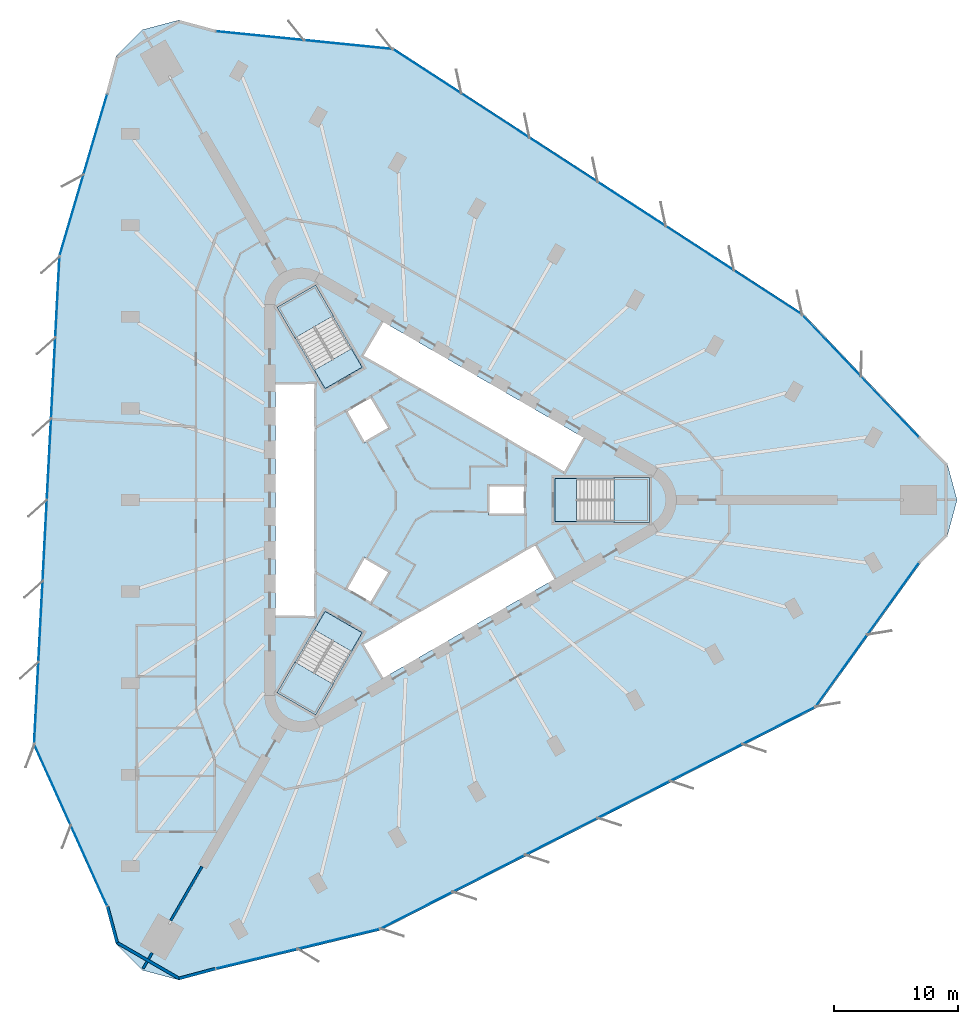
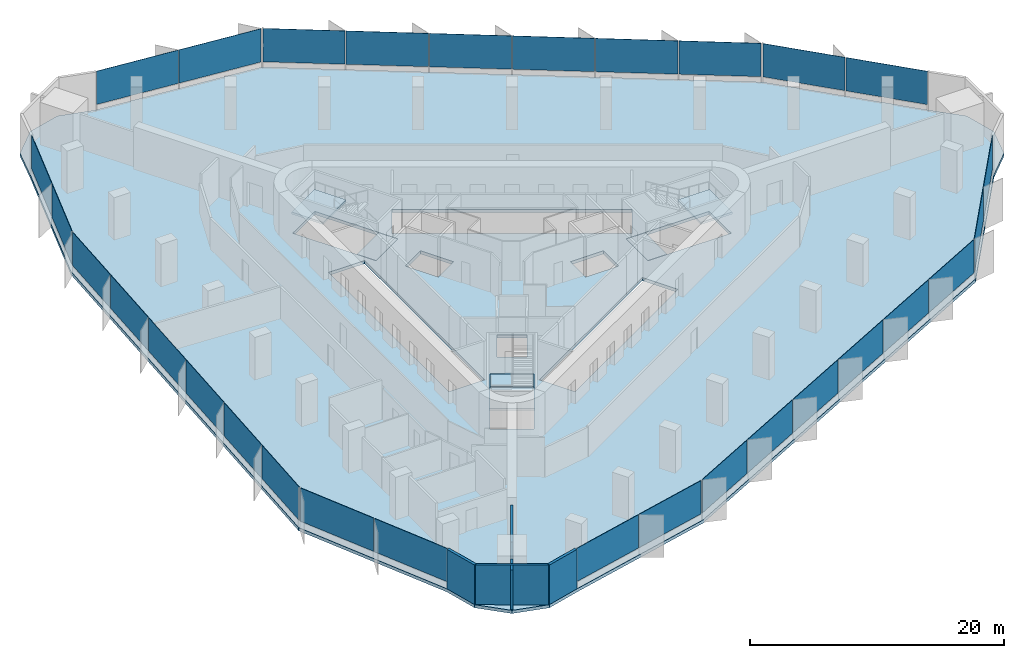
# One storey, part 8 of 14: 30 plates, 7 slabs, 6 walls, 12 elements without a shape of their own.
"""IFC4 building model written with IfcOpenShell, lengths in metres."""

import ifcopenshell
import ifcopenshell.guid

model = None  # the IFC model being written
_history = None  # IfcOwnerHistory: only IFC2X3 demands one
_inside = {}  # id of a spatial element -> (the spatial element, [elements in it])
_under = {}  # id of a project, library or spatial element -> (it, [spatial elements below it])
_declared = {}  # id of a project -> (the project, [libraries it declares])
_typed = {}  # id of a type object -> (the type object, [elements of that type])
_made_of = {}  # id of a material, layer set ... -> (it, [elements and type objects made of it])


def new_model(schema):
    """Start an empty IFC model of exactly this schema.

    Asked for "IFC4X3", IfcOpenShell would pick the latest addendum, in which some entities
    have other attributes; the version numbers below select the first issue.
    IFC2X3 requires an IfcOwnerHistory on every rooted entity: one is made here for all.
    """
    global model, _history
    if schema == "IFC4X3":
        model = ifcopenshell.file(schema_version=(4, 3, 0, 0))
    else:
        model = ifcopenshell.file(schema=schema)
    _inside.clear()
    _under.clear()
    _declared.clear()
    _typed.clear()
    _made_of.clear()
    _history = None
    if model.schema == "IFC2X3":
        org = make("IfcOrganization", Name="unknown")
        user = make(
            "IfcPersonAndOrganization",
            ThePerson=make("IfcPerson", FamilyName="unknown"),
            TheOrganization=org,
        )
        app = make(
            "IfcApplication",
            ApplicationDeveloper=org,
            Version="unknown",
            ApplicationFullName="unknown",
            ApplicationIdentifier="unknown",
        )
        _history = make(
            "IfcOwnerHistory",
            OwningUser=user,
            OwningApplication=app,
            ChangeAction="ADDED",
            CreationDate=0,
        )
    return model


def make(cls, **values):
    """One entity of the class cls with the attributes given. An attribute that is None is left unset."""
    return model.create_entity(
        cls, **{name: value for name, value in values.items() if value is not None}
    )


def rooted(cls, **values):
    """An entity with a GlobalId (a new one), such as an element, a storey or a relation."""
    return make(cls, GlobalId=ifcopenshell.guid.new(), OwnerHistory=_history, **values)


def si_unit(unit_type, name, prefix=None):
    """IfcSIUnit, for example si_unit("LENGTHUNIT", "METRE", prefix="MILLI")."""
    return make("IfcSIUnit", UnitType=unit_type, Prefix=prefix, Name=name)


def assignment(units):
    """IfcUnitAssignment: the units of a project."""
    return None if units is None else make("IfcUnitAssignment", Units=units)


def point(xyz):
    """IfcCartesianPoint."""
    return None if xyz is None else make("IfcCartesianPoint", Coordinates=xyz)


def direction(xyz):
    """IfcDirection."""
    return None if xyz is None else make("IfcDirection", DirectionRatios=xyz)


def frame(location, z_axis=None, x_axis=None):
    """IfcAxis2Placement3D, a coordinate frame: its origin and axes. An axis left out is left unset."""
    return make(
        "IfcAxis2Placement3D",
        Location=point(location),
        Axis=direction(z_axis),
        RefDirection=direction(x_axis),
    )


def frame_2d(location, x_axis=None):
    """IfcAxis2Placement2D, a coordinate frame in the plane: its origin and x axis."""
    return make(
        "IfcAxis2Placement2D", Location=point(location), RefDirection=direction(x_axis)
    )


def origin():
    """The frame at (0, 0, 0) with its axes left unset."""
    return frame((0.0, 0.0, 0.0))


def origin_2d():
    """The frame at (0, 0) in the plane with its x axis left unset."""
    return frame_2d((0.0, 0.0))


def place(relative_to, where):
    """IfcLocalPlacement: puts the frame where relative to a parent placement (None: the world)."""
    return make(
        "IfcLocalPlacement", PlacementRelTo=relative_to, RelativePlacement=where
    )


def context(
    kind, dimensions, precision=None, world=None, true_north=None, identifier=None
):
    """IfcGeometricRepresentationContext, for example the 3D "Model" context."""
    return make(
        "IfcGeometricRepresentationContext",
        ContextIdentifier=identifier,
        ContextType=kind,
        CoordinateSpaceDimension=dimensions,
        Precision=precision,
        WorldCoordinateSystem=world,
        TrueNorth=true_north,
    )


def subcontext(parent, identifier, kind, view, scale=None):
    """IfcGeometricRepresentationSubContext, for example "Body" below "Model"."""
    return make(
        "IfcGeometricRepresentationSubContext",
        ContextIdentifier=identifier,
        ContextType=kind,
        ParentContext=parent,
        TargetScale=scale,
        TargetView=view,
    )


def project(units=None, contexts=None):
    """IfcProject with its units and contexts."""
    return rooted(
        "IfcProject",
        Name="project",
        RepresentationContexts=contexts,
        UnitsInContext=assignment(units),
    )


def spatial(cls, under=None, at=None, **own):
    """A site, building, storey or space (cls), placed at a placement, below another one or the project."""
    s = rooted(cls, ObjectPlacement=at, **own)
    if under is not None:
        _under.setdefault(under.id(), (under, []))[1].append(s)
    return s


def polyline(points):
    """IfcPolyline through the points."""
    return make("IfcPolyline", Points=[point(p) for p in points])


def profile(cls, at=None, kind="AREA", **sizes):
    """A parametric profile (cls). Its sizes go by their IFC names, for example OverallWidth=200.0."""
    return make(cls, ProfileType=kind, Position=at, **sizes)


def rectangle(**sizes):
    """IfcRectangleProfileDef."""
    return profile("IfcRectangleProfileDef", **sizes)


def outline(outer, holes=None, kind="AREA"):
    """IfcArbitraryClosedProfileDef: a profile drawn as a closed curve; with holes, ...WithVoids."""
    if holes is None:
        return make("IfcArbitraryClosedProfileDef", ProfileType=kind, OuterCurve=outer)
    return make(
        "IfcArbitraryProfileDefWithVoids",
        ProfileType=kind,
        OuterCurve=outer,
        InnerCurves=holes,
    )


def extrude(swept, where, along, depth):
    """IfcExtrudedAreaSolid: the profile swept, set in the frame where, extruded along a direction by depth."""
    return make(
        "IfcExtrudedAreaSolid",
        SweptArea=swept,
        Position=where,
        ExtrudedDirection=direction(along),
        Depth=depth,
    )


def shape(context_of_items, identifier, shape_type, items):
    """IfcShapeRepresentation: the items that make up one representation, for example the "Body"."""
    return make(
        "IfcShapeRepresentation",
        ContextOfItems=context_of_items,
        RepresentationIdentifier=identifier,
        RepresentationType=shape_type,
        Items=items,
    )


def material(Name=None, Category=None):
    """IfcMaterial."""
    return make("IfcMaterial", Name=Name, Category=Category)


def layer(
    of_material, thickness, ventilated=None, Name=None, Category=None, Priority=None
):
    """IfcMaterialLayer: one layer of a wall or slab, of a material (None: an air gap)."""
    return make(
        "IfcMaterialLayer",
        Material=of_material,
        LayerThickness=thickness,
        IsVentilated=ventilated,
        Name=Name,
        Category=Category,
        Priority=Priority,
    )


def layer_set(layers, Name=None):
    """IfcMaterialLayerSet."""
    return make("IfcMaterialLayerSet", MaterialLayers=layers, LayerSetName=Name)


def made_of(thing, what):
    """Note that an element or type object is made of a material, layer set ...; save() writes the relation."""
    if what is not None:
        _made_of.setdefault(what.id(), (what, []))[1].append(thing)
    return thing


def type_object(cls, material=None, **own):
    """A type object (cls), such as IfcWallType, which elements share."""
    return made_of(rooted(cls, **own), material)


def element(
    cls,
    number,
    at=None,
    inside=None,
    cuts=None,
    type_object=None,
    material=None,
    context=None,
    identifier="Body",
    shape_type=None,
    held_by="IfcProductDefinitionShape",
    body=None,
    shapes=None,
    **own,
):
    """One element of the class cls, such as IfcWall. Its Tag is "e" and its number.

    at: its placement. inside: the storey or other place that contains it. cuts: it is an
    opening in that element (IfcRelVoidsElement). A single representation is given by context,
    identifier, shape_type and body (its items); several are given by shapes. held_by: the class
    of the entity that holds the representations. save() writes the other relations.
    """
    e = rooted(cls, Tag="e%d" % number, ObjectPlacement=at, **own)
    if body is not None:
        shapes = [shape(context, identifier, shape_type, body)]
    if shapes is not None:
        e.Representation = make(held_by, Representations=shapes)
    if inside is not None:
        _inside.setdefault(inside.id(), (inside, []))[1].append(e)
    if cuts is not None:
        rooted(
            "IfcRelVoidsElement", RelatingBuildingElement=cuts, RelatedOpeningElement=e
        )
    if type_object is not None:
        _typed.setdefault(type_object.id(), (type_object, []))[1].append(e)
    return made_of(e, material)


def aggregate(whole, parts):
    """IfcRelAggregates: a whole, such as a stair, and the parts it consists of."""
    return rooted("IfcRelAggregates", RelatingObject=whole, RelatedObjects=parts)


def save(model, path):
    """Write the relations noted so far, then the file.

    IfcRelAggregates (storeys below a building ...), IfcRelContainedInSpatialStructure (elements
    in a storey), IfcRelDefinesByType, IfcRelAssociatesMaterial and IfcRelDeclares: one each for
    every whole, place, type object, material and project.
    """
    for whole, parts in _under.values():
        aggregate(whole, parts)
    for where, things in _inside.values():
        rooted(
            "IfcRelContainedInSpatialStructure",
            RelatedElements=things,
            RelatingStructure=where,
        )
    for kind, things in _typed.values():
        rooted("IfcRelDefinesByType", RelatedObjects=things, RelatingType=kind)
    for what, things in _made_of.values():
        rooted("IfcRelAssociatesMaterial", RelatedObjects=things, RelatingMaterial=what)
    for by, libraries in _declared.values():
        rooted("IfcRelDeclares", RelatingContext=by, RelatedDefinitions=libraries)
    model.write(path)


model = new_model("IFC4")

# Units and contexts
model_context = context("Model", 3, precision=1e-05, world=origin(), true_north=direction((0.0, 1.0)))
body_context = subcontext(model_context, "Body", "Model", "MODEL_VIEW")
ifc_project = project(units=[si_unit("LENGTHUNIT", "METRE"), si_unit("AREAUNIT", "SQUARE_METRE"), si_unit("VOLUMEUNIT", "CUBIC_METRE"), si_unit("PLANEANGLEUNIT", "RADIAN"), si_unit("MASSUNIT", "GRAM", prefix="KILO")], contexts=[model_context])

# Site, building, storey
site_placement = place(None, origin())
site = spatial("IfcSite", under=ifc_project, at=site_placement, CompositionType="ELEMENT")
building_placement = place(site_placement, origin())
building = spatial("IfcBuilding", under=site, at=building_placement, Name="Tanit Gate Tower", CompositionType="ELEMENT")
storey_placement = place(building_placement, frame((0.0, 0.0, 107.0)))
storey = spatial("IfcBuildingStorey", under=building, at=storey_placement, Name="L22", CompositionType="ELEMENT", Elevation=107.0)

# Slab
ifc_material_1 = material(Name="Concrete C35/45", Category="concrete")
ifc_layer_1 = layer(ifc_material_1, 0.300048828125)
ifc_layer_set_1 = layer_set([ifc_layer_1], Name="FLOOR SLAB 300 C35/45")
slab_type_1 = type_object("IfcSlabType", Name="FLOOR SLAB 300 C35/45", PredefinedType="FLOOR", material=ifc_layer_set_1)
slab_1_placement = place(storey_placement, frame((0.0, 0.0, -0.300048828125)))
element("IfcSlab", 1, at=slab_1_placement, inside=storey, type_object=slab_type_1, Name="FLOOR SLAB L22", PredefinedType="FLOOR", context=body_context, shape_type="SweptSolid", body=[
    extrude(outline(polyline([(40.87548828125, 5.105224609375), (43.033203125, 2.947509765625), (43.822998046875, 0.0), (43.033203125, -2.947509765625), (40.87548828125, -5.105224609375), (32.458251953125, -16.80322265625), (-2.703369140625, -34.73388671875), (-16.0166015625, -37.951904296875), (-18.964111328125, -38.74169921875), (-21.91162109375, -37.951904296875), (-24.0693359375, -35.794189453125), (-24.859130859375, -32.8466796875), (-30.78125, -19.7080078125), (-28.728759765625, 19.7080078125), (-24.859130859375, 32.8466796875), (-24.0693359375, 35.794189453125), (-21.91162109375, 37.951904296875), (-18.964111328125, 38.74169921875), (-16.0166015625, 37.951904296875), (-1.677001953125, 36.51123046875), (31.431884765625, 15.02587890625), (40.87548828125, 5.105224609375)]), holes=[polyline([(11.3701171875, 1.72998046875), (18.929931640625, 1.72998046875), (18.929931640625, -1.72998046875), (11.3701171875, -1.72998046875), (11.3701171875, 1.72998046875)]), polyline([(-4.208984375, 11.60986328125), (-2.583984375, 14.424560546875), (13.783935546875, 4.974609375), (12.158935546875, 2.159912109375), (-4.208984375, 11.60986328125)]), polyline([(-4.208984375, -11.60986328125), (9.82080078125, -3.510009765625), (11.44580078125, -6.324462890625), (-2.583984375, -14.424560546875), (-4.208984375, -11.60986328125)]), polyline([(9.0, 1.199951171875), (9.0, -1.199951171875), (6.0, -1.199951171875), (6.0, 1.199951171875), (9.0, 1.199951171875)]), polyline([(-5.539306640625, 7.194091796875), (-3.460693359375, 8.394287109375), (-1.960693359375, 5.796142578125), (-4.039306640625, 4.59619140625), (-5.539306640625, 7.194091796875)]), polyline([(-1.960693359375, -5.796142578125), (-3.460693359375, -8.394287109375), (-5.539306640625, -7.194091796875), (-4.039306640625, -4.59619140625), (-1.960693359375, -5.796142578125)]), polyline([(-10.963134765625, 15.52880859375), (-7.966796875, 17.2587890625), (-4.186767578125, 10.711669921875), (-7.18310546875, 8.981689453125), (-10.963134765625, 15.52880859375)]), polyline([(-4.186767578125, -10.711669921875), (-7.966796875, -17.2587890625), (-10.963134765625, -15.52880859375), (-7.18310546875, -8.981689453125), (-4.186767578125, -10.711669921875)]), polyline([(-11.199951171875, -9.449951171875), (-11.199951171875, 9.449951171875), (-7.949951171875, 9.449951171875), (-7.949951171875, -9.449951171875), (-11.199951171875, -9.449951171875)])]), origin(), (0.0, 0.0, 1.0), 0.300048828125),
])

# Curtain wall, plates
ifc_material_2 = material(Name="Aluminium bronze anodised and glass", Category="aluminium")
curtain_wall_type = type_object("IfcCurtainWallType", Name="Curtain wall typical low", PredefinedType="NOTDEFINED", material=ifc_material_2)
curtain_wall_1_placement = place(storey_placement, origin())
curtain_wall_1 = element("IfcCurtainWall", 2, at=curtain_wall_1_placement, inside=storey, type_object=curtain_wall_type, Name="Curtain wall L22 NE1", PredefinedType="NOTDEFINED")
ifc_material_3 = material(Name="Glass tinted", Category="glass")
ifc_layer_2 = layer(ifc_material_3, 0.031982421875)
ifc_layer_set_2 = layer_set([ifc_layer_2], Name="Glass panel 32 typical low")
plate_type = type_object("IfcPlateType", Name="Glass panel 32 typical low", PredefinedType="CURTAIN_PANEL", material=ifc_layer_set_2)
plate_1_placement = place(storey_placement, frame((38.417236328125, 7.513671875, 0.60009765625), z_axis=(0.0, 0.0, 1.0), x_axis=(-0.689481250245, 0.724303531374, 0.0)))
plate_1 = element("IfcPlate", 3, at=plate_1_placement, type_object=plate_type, Name="Glass panel L22 NE1.1", PredefinedType="CURTAIN_PANEL", context=body_context, shape_type="SweptSolid", body=[
    extrude(rectangle(XDim=6.721923828125, YDim=0.031982421875, at=origin_2d()), origin(), (0.0, 0.0, 1.0), 3.199951171875),
])
plate_2_placement = place(storey_placement, frame((33.727294921875, 12.4404296875, 0.60009765625), z_axis=(0.0, 0.0, 1.0), x_axis=(-0.689481250245, 0.724303531374, 0.0)))
plate_2 = element("IfcPlate", 4, at=plate_2_placement, type_object=plate_type, Name="Glass panel L22 NE1.2", PredefinedType="CURTAIN_PANEL", context=body_context, shape_type="SweptSolid", body=[
    extrude(rectangle(XDim=6.721923828125, YDim=0.031982421875, at=origin_2d()), origin(), (0.0, 0.0, 1.0), 3.199951171875),
])
aggregate(curtain_wall_1, [plate_1, plate_2])

curtain_wall_2_placement = place(storey_placement, origin())
curtain_wall_2 = element("IfcCurtainWall", 5, at=curtain_wall_2_placement, inside=storey, type_object=curtain_wall_type, Name="Curtain wall L22 NE2", PredefinedType="NOTDEFINED")
plate_3_placement = place(storey_placement, frame((28.57080078125, 16.739501953125, 0.60009765625), z_axis=(0.0, 0.0, 1.0), x_axis=(-0.838852134807, 0.544359344487, 0.0)))
plate_3 = element("IfcPlate", 6, at=plate_3_placement, type_object=plate_type, Name="Glass panel L22 NE2.1", PredefinedType="CURTAIN_PANEL", context=body_context, shape_type="SweptSolid", body=[
    extrude(rectangle(XDim=6.477783203125, YDim=0.031982421875, at=origin_2d()), origin(), (0.0, 0.0, 1.0), 3.199951171875),
])
plate_4_placement = place(storey_placement, frame((23.06982421875, 20.309326171875, 0.60009765625), z_axis=(0.0, 0.0, 1.0), x_axis=(-0.838852134807, 0.544359344487, 0.0)))
plate_4 = element("IfcPlate", 7, at=plate_4_placement, type_object=plate_type, Name="Glass panel L22 NE2.2", PredefinedType="CURTAIN_PANEL", context=body_context, shape_type="SweptSolid", body=[
    extrude(rectangle(XDim=6.477783203125, YDim=0.031982421875, at=origin_2d()), origin(), (0.0, 0.0, 1.0), 3.199951171875),
])
plate_5_placement = place(storey_placement, frame((17.56884765625, 23.87890625, 0.60009765625), z_axis=(0.0, 0.0, 1.0), x_axis=(-0.838852134807, 0.544359344487, 0.0)))
plate_5 = element("IfcPlate", 8, at=plate_5_placement, type_object=plate_type, Name="Glass panel L22 NE2.3", PredefinedType="CURTAIN_PANEL", context=body_context, shape_type="SweptSolid", body=[
    extrude(rectangle(XDim=6.477783203125, YDim=0.031982421875, at=origin_2d()), origin(), (0.0, 0.0, 1.0), 3.199951171875),
])
plate_6_placement = place(storey_placement, frame((12.06787109375, 27.44873046875, 0.60009765625), z_axis=(0.0, 0.0, 1.0), x_axis=(-0.838852134807, 0.544359344487, 0.0)))
plate_6 = element("IfcPlate", 9, at=plate_6_placement, type_object=plate_type, Name="Glass panel L22 NE2.4", PredefinedType="CURTAIN_PANEL", context=body_context, shape_type="SweptSolid", body=[
    extrude(rectangle(XDim=6.477783203125, YDim=0.031982421875, at=origin_2d()), origin(), (0.0, 0.0, 1.0), 3.199951171875),
])
plate_7_placement = place(storey_placement, frame((6.56689453125, 31.0185546875, 0.60009765625), z_axis=(0.0, 0.0, 1.0), x_axis=(-0.838852134807, 0.544359344487, 0.0)))
plate_7 = element("IfcPlate", 10, at=plate_7_placement, type_object=plate_type, Name="Glass panel L22 NE2.5", PredefinedType="CURTAIN_PANEL", context=body_context, shape_type="SweptSolid", body=[
    extrude(rectangle(XDim=6.477783203125, YDim=0.031982421875, at=origin_2d()), origin(), (0.0, 0.0, 1.0), 3.199951171875),
])
plate_8_placement = place(storey_placement, frame((1.066162109375, 34.588134765625, 0.60009765625), z_axis=(0.0, 0.0, 1.0), x_axis=(-0.838852134807, 0.544359344487, 0.0)))
plate_8 = element("IfcPlate", 11, at=plate_8_placement, type_object=plate_type, Name="Glass panel L22 NE2.6", PredefinedType="CURTAIN_PANEL", context=body_context, shape_type="SweptSolid", body=[
    extrude(rectangle(XDim=6.477783203125, YDim=0.031982421875, at=origin_2d()), origin(), (0.0, 0.0, 1.0), 3.199951171875),
])
aggregate(curtain_wall_2, [plate_3, plate_4, plate_5, plate_6, plate_7, plate_8])

curtain_wall_3_placement = place(storey_placement, origin())
curtain_wall_3 = element("IfcCurtainWall", 12, at=curtain_wall_3_placement, inside=storey, type_object=curtain_wall_type, Name="Curtain wall L22 NE3", PredefinedType="NOTDEFINED")
plate_9_placement = place(storey_placement, frame((-5.31787109375, 36.756591796875, 0.60009765625), z_axis=(0.0, 0.0, 1.0), x_axis=(-0.994991526189, 0.099959305783, 0.0)))
plate_9 = element("IfcPlate", 13, at=plate_9_placement, type_object=plate_type, Name="Glass panel L22 NE3.1", PredefinedType="CURTAIN_PANEL", context=body_context, shape_type="SweptSolid", body=[
    extrude(rectangle(XDim=7.076171875, YDim=0.031982421875, at=origin_2d()), origin(), (0.0, 0.0, 1.0), 3.199951171875),
])
plate_10_placement = place(storey_placement, frame((-12.438232421875, 37.471923828125, 0.60009765625), z_axis=(0.0, 0.0, 1.0), x_axis=(-0.994991526189, 0.099959305783, 0.0)))
plate_10 = element("IfcPlate", 14, at=plate_10_placement, type_object=plate_type, Name="Glass panel L22 NE3.2", PredefinedType="CURTAIN_PANEL", context=body_context, shape_type="SweptSolid", body=[
    extrude(rectangle(XDim=7.076171875, YDim=0.031982421875, at=origin_2d()), origin(), (0.0, 0.0, 1.0), 3.199951171875),
])
aggregate(curtain_wall_3, [plate_9, plate_10])

curtain_wall_4_placement = place(storey_placement, origin())
curtain_wall_4 = element("IfcCurtainWall", 15, at=curtain_wall_4_placement, inside=storey, type_object=curtain_wall_type, Name="Curtain wall L22 W1", PredefinedType="NOTDEFINED")
plate_11_placement = place(storey_placement, frame((-25.715576171875, 29.513427734375, 0.60009765625), z_axis=(0.0, 0.0, 1.0), x_axis=(-0.282524633098, -0.959260043832, 0.0)))
plate_11 = element("IfcPlate", 16, at=plate_11_placement, type_object=plate_type, Name="Glass panel L22 W1.1", PredefinedType="CURTAIN_PANEL", context=body_context, shape_type="SweptSolid", body=[
    extrude(rectangle(XDim=6.721923828125, YDim=0.031982421875, at=origin_2d()), origin(), (0.0, 0.0, 1.0), 3.199951171875),
])
plate_12_placement = place(storey_placement, frame((-27.637451171875, 22.988525390625, 0.60009765625), z_axis=(0.0, 0.0, 1.0), x_axis=(-0.282524633098, -0.959260043832, 0.0)))
plate_12 = element("IfcPlate", 17, at=plate_12_placement, type_object=plate_type, Name="Glass panel L22 W1.2", PredefinedType="CURTAIN_PANEL", context=body_context, shape_type="SweptSolid", body=[
    extrude(rectangle(XDim=6.721923828125, YDim=0.031982421875, at=origin_2d()), origin(), (0.0, 0.0, 1.0), 3.199951171875),
])
aggregate(curtain_wall_4, [plate_11, plate_12])

curtain_wall_5_placement = place(storey_placement, origin())
curtain_wall_5 = element("IfcCurtainWall", 18, at=curtain_wall_5_placement, inside=storey, type_object=curtain_wall_type, Name="Curtain wall L22 W2", PredefinedType="NOTDEFINED")
plate_13_placement = place(storey_placement, frame((-28.7822265625, 16.373291015625, 0.60009765625), z_axis=(0.0, 0.0, 1.0), x_axis=(-0.05200295371, -0.998646931005, 0.0)))
plate_13 = element("IfcPlate", 19, at=plate_13_placement, type_object=plate_type, Name="Glass panel L22 W2.1", PredefinedType="CURTAIN_PANEL", context=body_context, shape_type="SweptSolid", body=[
    extrude(rectangle(XDim=6.477783203125, YDim=0.031982421875, at=origin_2d()), origin(), (0.0, 0.0, 1.0), 3.199951171875),
])
plate_14_placement = place(storey_placement, frame((-29.123291015625, 9.824462890625, 0.60009765625), z_axis=(0.0, 0.0, 1.0), x_axis=(-0.05200295371, -0.998646931005, 0.0)))
plate_14 = element("IfcPlate", 20, at=plate_14_placement, type_object=plate_type, Name="Glass panel L22 W2.2", PredefinedType="CURTAIN_PANEL", context=body_context, shape_type="SweptSolid", body=[
    extrude(rectangle(XDim=6.477783203125, YDim=0.031982421875, at=origin_2d()), origin(), (0.0, 0.0, 1.0), 3.199951171875),
])
plate_15_placement = place(storey_placement, frame((-29.464111328125, 3.275634765625, 0.60009765625), z_axis=(0.0, 0.0, 1.0), x_axis=(-0.05200295371, -0.998646931005, 0.0)))
plate_15 = element("IfcPlate", 21, at=plate_15_placement, type_object=plate_type, Name="Glass panel L22 W2.3", PredefinedType="CURTAIN_PANEL", context=body_context, shape_type="SweptSolid", body=[
    extrude(rectangle(XDim=6.477783203125, YDim=0.031982421875, at=origin_2d()), origin(), (0.0, 0.0, 1.0), 3.199951171875),
])
plate_16_placement = place(storey_placement, frame((-29.80517578125, -3.273193359375, 0.60009765625), z_axis=(0.0, 0.0, 1.0), x_axis=(-0.05200295371, -0.998646931005, 0.0)))
plate_16 = element("IfcPlate", 22, at=plate_16_placement, type_object=plate_type, Name="Glass panel L22 W2.4", PredefinedType="CURTAIN_PANEL", context=body_context, shape_type="SweptSolid", body=[
    extrude(rectangle(XDim=6.477783203125, YDim=0.031982421875, at=origin_2d()), origin(), (0.0, 0.0, 1.0), 3.199951171875),
])
plate_17_placement = place(storey_placement, frame((-30.146240234375, -9.822021484375, 0.60009765625), z_axis=(0.0, 0.0, 1.0), x_axis=(-0.05200295371, -0.998646931005, 0.0)))
plate_17 = element("IfcPlate", 23, at=plate_17_placement, type_object=plate_type, Name="Glass panel L22 W2.5", PredefinedType="CURTAIN_PANEL", context=body_context, shape_type="SweptSolid", body=[
    extrude(rectangle(XDim=6.477783203125, YDim=0.031982421875, at=origin_2d()), origin(), (0.0, 0.0, 1.0), 3.199951171875),
])
plate_18_placement = place(storey_placement, frame((-30.4873046875, -16.370849609375, 0.60009765625), z_axis=(0.0, 0.0, 1.0), x_axis=(-0.05200295371, -0.998646931005, 0.0)))
plate_18 = element("IfcPlate", 24, at=plate_18_placement, type_object=plate_type, Name="Glass panel L22 W2.6", PredefinedType="CURTAIN_PANEL", context=body_context, shape_type="SweptSolid", body=[
    extrude(rectangle(XDim=6.477783203125, YDim=0.031982421875, at=origin_2d()), origin(), (0.0, 0.0, 1.0), 3.199951171875),
])
aggregate(curtain_wall_5, [plate_13, plate_14, plate_15, plate_16, plate_17, plate_18])

curtain_wall_6_placement = place(storey_placement, origin())
curtain_wall_6 = element("IfcCurtainWall", 25, at=curtain_wall_6_placement, inside=storey, type_object=curtain_wall_type, Name="Curtain wall L22 W3", PredefinedType="NOTDEFINED")
plate_19_placement = place(storey_placement, frame((-29.173095703125, -22.983642578125, 0.60009765625), z_axis=(0.0, 0.0, 1.0), x_axis=(0.410928464942, -0.911667591121, 0.0)))
plate_19 = element("IfcPlate", 26, at=plate_19_placement, type_object=plate_type, Name="Glass panel L22 W3.1", PredefinedType="CURTAIN_PANEL", context=body_context, shape_type="SweptSolid", body=[
    extrude(rectangle(XDim=7.076171875, YDim=0.031982421875, at=origin_2d()), origin(), (0.0, 0.0, 1.0), 3.199951171875),
])
plate_20_placement = place(storey_placement, frame((-26.232421875, -29.5078125, 0.60009765625), z_axis=(0.0, 0.0, 1.0), x_axis=(0.410928464942, -0.911667591121, 0.0)))
plate_20 = element("IfcPlate", 27, at=plate_20_placement, type_object=plate_type, Name="Glass panel L22 W3.2", PredefinedType="CURTAIN_PANEL", context=body_context, shape_type="SweptSolid", body=[
    extrude(rectangle(XDim=7.076171875, YDim=0.031982421875, at=origin_2d()), origin(), (0.0, 0.0, 1.0), 3.199951171875),
])
aggregate(curtain_wall_6, [plate_19, plate_20])

curtain_wall_7_placement = place(storey_placement, origin())
curtain_wall_7 = element("IfcCurtainWall", 28, at=curtain_wall_7_placement, inside=storey, type_object=curtain_wall_type, Name="Curtain wall L22 SE1", PredefinedType="NOTDEFINED")
plate_21_placement = place(storey_placement, frame((-12.701416015625, -37.027099609375, 0.60009765625), z_axis=(0.0, 0.0, 1.0), x_axis=(0.972005883343, 0.234956512458, 0.0)))
plate_21 = element("IfcPlate", 29, at=plate_21_placement, type_object=plate_type, Name="Glass panel L22 SE1.1", PredefinedType="CURTAIN_PANEL", context=body_context, shape_type="SweptSolid", body=[
    extrude(rectangle(XDim=6.721923828125, YDim=0.031982421875, at=origin_2d()), origin(), (0.0, 0.0, 1.0), 3.199951171875),
])
plate_22_placement = place(storey_placement, frame((-6.08984375, -35.428955078125, 0.60009765625), z_axis=(0.0, 0.0, 1.0), x_axis=(0.972005883343, 0.234956512458, 0.0)))
plate_22 = element("IfcPlate", 30, at=plate_22_placement, type_object=plate_type, Name="Glass panel L22 SE1.2", PredefinedType="CURTAIN_PANEL", context=body_context, shape_type="SweptSolid", body=[
    extrude(rectangle(XDim=6.721923828125, YDim=0.031982421875, at=origin_2d()), origin(), (0.0, 0.0, 1.0), 3.199951171875),
])
aggregate(curtain_wall_7, [plate_21, plate_22])

curtain_wall_8_placement = place(storey_placement, origin())
curtain_wall_8 = element("IfcCurtainWall", 31, at=curtain_wall_8_placement, inside=storey, type_object=curtain_wall_type, Name="Curtain wall L22 SE2", PredefinedType="NOTDEFINED")
plate_23_placement = place(storey_placement, frame((0.21142578125, -33.11279296875, 0.60009765625), z_axis=(0.0, 0.0, 1.0), x_axis=(0.890855088516, 0.454287586518, 0.0)))
plate_23 = element("IfcPlate", 32, at=plate_23_placement, type_object=plate_type, Name="Glass panel L22 SE2.1", PredefinedType="CURTAIN_PANEL", context=body_context, shape_type="SweptSolid", body=[
    extrude(rectangle(XDim=6.477783203125, YDim=0.031982421875, at=origin_2d()), origin(), (0.0, 0.0, 1.0), 3.199951171875),
])
plate_24_placement = place(storey_placement, frame((6.053466796875, -30.133544921875, 0.60009765625), z_axis=(0.0, 0.0, 1.0), x_axis=(0.890855088516, 0.454287586518, 0.0)))
plate_24 = element("IfcPlate", 33, at=plate_24_placement, type_object=plate_type, Name="Glass panel L22 SE2.2", PredefinedType="CURTAIN_PANEL", context=body_context, shape_type="SweptSolid", body=[
    extrude(rectangle(XDim=6.477783203125, YDim=0.031982421875, at=origin_2d()), origin(), (0.0, 0.0, 1.0), 3.199951171875),
])
plate_25_placement = place(storey_placement, frame((11.895263671875, -27.154541015625, 0.60009765625), z_axis=(0.0, 0.0, 1.0), x_axis=(0.890855088516, 0.454287586518, 0.0)))
plate_25 = element("IfcPlate", 34, at=plate_25_placement, type_object=plate_type, Name="Glass panel L22 SE2.3", PredefinedType="CURTAIN_PANEL", context=body_context, shape_type="SweptSolid", body=[
    extrude(rectangle(XDim=6.477783203125, YDim=0.031982421875, at=origin_2d()), origin(), (0.0, 0.0, 1.0), 3.199951171875),
])
plate_26_placement = place(storey_placement, frame((17.7373046875, -24.175537109375, 0.60009765625), z_axis=(0.0, 0.0, 1.0), x_axis=(0.890855088516, 0.454287586518, 0.0)))
plate_26 = element("IfcPlate", 35, at=plate_26_placement, type_object=plate_type, Name="Glass panel L22 SE2.4", PredefinedType="CURTAIN_PANEL", context=body_context, shape_type="SweptSolid", body=[
    extrude(rectangle(XDim=6.477783203125, YDim=0.031982421875, at=origin_2d()), origin(), (0.0, 0.0, 1.0), 3.199951171875),
])
plate_27_placement = place(storey_placement, frame((23.579345703125, -21.196533203125, 0.60009765625), z_axis=(0.0, 0.0, 1.0), x_axis=(0.890855088516, 0.454287586518, 0.0)))
plate_27 = element("IfcPlate", 36, at=plate_27_placement, type_object=plate_type, Name="Glass panel L22 SE2.5", PredefinedType="CURTAIN_PANEL", context=body_context, shape_type="SweptSolid", body=[
    extrude(rectangle(XDim=6.477783203125, YDim=0.031982421875, at=origin_2d()), origin(), (0.0, 0.0, 1.0), 3.199951171875),
])
plate_28_placement = place(storey_placement, frame((29.421142578125, -18.21728515625, 0.60009765625), z_axis=(0.0, 0.0, 1.0), x_axis=(0.890855088516, 0.454287586518, 0.0)))
plate_28 = element("IfcPlate", 37, at=plate_28_placement, type_object=plate_type, Name="Glass panel L22 SE2.6", PredefinedType="CURTAIN_PANEL", context=body_context, shape_type="SweptSolid", body=[
    extrude(rectangle(XDim=6.477783203125, YDim=0.031982421875, at=origin_2d()), origin(), (0.0, 0.0, 1.0), 3.199951171875),
])
aggregate(curtain_wall_8, [plate_23, plate_24, plate_25, plate_26, plate_27, plate_28])

curtain_wall_9_placement = place(storey_placement, origin())
curtain_wall_9 = element("IfcCurtainWall", 38, at=curtain_wall_9_placement, inside=storey, type_object=curtain_wall_type, Name="Curtain wall L22 SE3", PredefinedType="NOTDEFINED")
plate_29_placement = place(storey_placement, frame((34.490966796875, -13.772705078125, 0.60009765625), z_axis=(0.0, 0.0, 1.0), x_axis=(0.584063061247, 0.811708285338, 0.0)))
plate_29 = element("IfcPlate", 39, at=plate_29_placement, type_object=plate_type, Name="Glass panel L22 SE3.1", PredefinedType="CURTAIN_PANEL", context=body_context, shape_type="SweptSolid", body=[
    extrude(rectangle(XDim=7.076171875, YDim=0.031982421875, at=origin_2d()), origin(), (0.0, 0.0, 1.0), 3.199951171875),
])
plate_30_placement = place(storey_placement, frame((38.670654296875, -7.964111328125, 0.60009765625), z_axis=(0.0, 0.0, 1.0), x_axis=(0.584063061247, 0.811708285338, 0.0)))
plate_30 = element("IfcPlate", 40, at=plate_30_placement, type_object=plate_type, Name="Glass panel L22 SE3.2", PredefinedType="CURTAIN_PANEL", context=body_context, shape_type="SweptSolid", body=[
    extrude(rectangle(XDim=7.076171875, YDim=0.031982421875, at=origin_2d()), origin(), (0.0, 0.0, 1.0), 3.199951171875),
])
aggregate(curtain_wall_9, [plate_29, plate_30])

# Stair, slab
ifc_material_4 = material(Name="Concrete C40/50", Category="concrete")
stair_type = type_object("IfcStairType", Name="INT-STAIR-EXIT", PredefinedType="HALF_TURN_STAIR", material=ifc_material_4)
stair_1_placement = place(storey_placement, origin())
stair_1 = element("IfcStair", 41, at=stair_1_placement, inside=storey, type_object=stair_type, Name="L22 STAIR S1", PredefinedType="HALF_TURN_STAIR")
ifc_material_5 = material(Name="Concrete C40/50", Category="concrete")
ifc_layer_3 = layer(ifc_material_5, 0.199951171875)
ifc_layer_set_3 = layer_set([ifc_layer_3], Name="INT-STAIR-LANDING")
slab_type_2 = type_object("IfcSlabType", Name="INT-STAIR-LANDING", PredefinedType="LANDING", material=ifc_layer_set_3)
slab_2_placement = place(storey_placement, frame((0.0, 0.0, 1.85009765625)))
slab_2 = element("IfcSlab", 42, at=slab_2_placement, type_object=slab_type_2, Name="S1 landing 1", PredefinedType="LANDING", context=body_context, shape_type="SweptSolid", body=[
    extrude(outline(polyline([(16.135986328125, -1.800048828125), (19.0, -1.800048828125), (19.0, 1.800048828125), (16.135986328125, 1.800048828125), (16.135986328125, -1.800048828125)])), origin(), (0.0, 0.0, 1.0), 0.199951171875),
])
aggregate(stair_1, [slab_2])

# Slab
slab_3_placement = place(storey_placement, frame((0.0, 0.0, -0.199951171875)))
element("IfcSlab", 43, at=slab_3_placement, inside=storey, type_object=slab_type_2, Name="S1 floor landing", PredefinedType="LANDING", context=body_context, shape_type="SweptSolid", body=[
    extrude(outline(polyline([(11.3798828125, -1.719970703125), (13.10498046875, -1.719970703125), (13.10498046875, 1.719970703125), (11.3798828125, 1.719970703125), (11.3798828125, -1.719970703125)])), origin(), (0.0, 0.0, 1.0), 0.199951171875),
])

# Stair, slab
stair_2_placement = place(storey_placement, origin())
stair_2 = element("IfcStair", 44, at=stair_2_placement, inside=storey, type_object=stair_type, Name="L22 STAIR S2", PredefinedType="HALF_TURN_STAIR")
slab_4_placement = place(storey_placement, frame((0.0, 0.0, 1.85009765625)))
slab_4 = element("IfcSlab", 45, at=slab_4_placement, type_object=slab_type_2, Name="S2 landing 1", PredefinedType="LANDING", context=body_context, shape_type="SweptSolid", body=[
    extrude(outline(polyline([(-6.5078125, 14.871826171875), (-7.941162109375, 17.3544921875), (-11.058837890625, 15.554443359375), (-9.62548828125, 13.07177734375), (-6.5078125, 14.871826171875)])), origin(), (0.0, 0.0, 1.0), 0.199951171875),
])
aggregate(stair_2, [slab_4])

# Slab
slab_5_placement = place(storey_placement, frame((0.0, 0.0, -0.199951171875)))
element("IfcSlab", 46, at=slab_5_placement, inside=storey, type_object=slab_type_2, Name="S2 floor landing", PredefinedType="LANDING", context=body_context, shape_type="SweptSolid", body=[
    extrude(outline(polyline([(-4.200439453125, 10.71533203125), (-5.0625, 12.20849609375), (-8.04150390625, 10.48828125), (-7.179443359375, 8.995361328125), (-4.200439453125, 10.71533203125)])), origin(), (0.0, 0.0, 1.0), 0.199951171875),
])

# Stair, slab
stair_3_placement = place(storey_placement, origin())
stair_3 = element("IfcStair", 47, at=stair_3_placement, inside=storey, type_object=stair_type, Name="L22 STAIR S3", PredefinedType="HALF_TURN_STAIR")
slab_6_placement = place(storey_placement, frame((0.0, 0.0, 1.85009765625)))
slab_6 = element("IfcSlab", 48, at=slab_6_placement, type_object=slab_type_2, Name="S3 landing 1", PredefinedType="LANDING", context=body_context, shape_type="SweptSolid", body=[
    extrude(outline(polyline([(-9.626953125, -13.07421875), (-11.058837890625, -15.554443359375), (-7.941162109375, -17.3544921875), (-6.509033203125, -14.874267578125), (-9.626953125, -13.07421875)])), origin(), (0.0, 0.0, 1.0), 0.199951171875),
])
aggregate(stair_3, [slab_6])

# Slab
slab_7_placement = place(storey_placement, frame((0.0, 0.0, -0.199951171875)))
element("IfcSlab", 49, at=slab_7_placement, inside=storey, type_object=slab_type_2, Name="S3 floor landing", PredefinedType="LANDING", context=body_context, shape_type="SweptSolid", body=[
    extrude(outline(polyline([(-7.179443359375, -8.995361328125), (-8.0419921875, -10.4892578125), (-5.06298828125, -12.209228515625), (-4.200439453125, -10.71533203125), (-7.179443359375, -8.995361328125)])), origin(), (0.0, 0.0, 1.0), 0.199951171875),
])

# Walls
ifc_material_6 = material(Name="Concrete C30/37 with bronze anodised aluminium cladding", Category="concrete")
ifc_layer_4 = layer(ifc_material_6, 0.239990234375)
ifc_layer_set_4 = layer_set([ifc_layer_4], Name="Facade wall bronze clad 240")
wall_type_1 = type_object("IfcWallType", Name="Facade wall bronze clad 240", PredefinedType="SOLIDWALL", material=ifc_layer_set_4)
wall_1_placement = place(storey_placement, frame((-24.74560546875, -32.80615234375, 0.0), z_axis=(0.0, 0.0, 1.0), x_axis=(0.258811290087, -0.965927904206, 0.0)))
element("IfcWall", 50, at=wall_1_placement, inside=storey, type_object=wall_type_1, Name="Bronze-clad facade wall L22 SW.arc1", PredefinedType="SOLIDWALL", context=body_context, shape_type="SweptSolid", body=[
    extrude(rectangle(XDim=3.029052734375, YDim=0.239990234375, at=frame_2d((1.5146484375, 0.0))), origin(), (0.0, 0.0, 1.0), 3.800048828125),
])
wall_2_placement = place(storey_placement, frame((-23.961669921875, -35.73193359375, 0.0), z_axis=(0.0, 0.0, 1.0), x_axis=(0.866013679419, -0.500020306647, 0.0)))
element("IfcWall", 51, at=wall_2_placement, inside=storey, type_object=wall_type_1, Name="Bronze-clad facade wall L22 SW.arc2", PredefinedType="SOLIDWALL", context=body_context, shape_type="SweptSolid", body=[
    extrude(rectangle(XDim=5.770751953125, YDim=0.239990234375, at=frame_2d((2.88525390625, 0.0))), origin(), (0.0, 0.0, 1.0), 3.800048828125),
])
wall_3_placement = place(storey_placement, frame((-18.964111328125, -38.617431640625, 0.0), z_axis=(0.0, 0.0, 1.0), x_axis=(0.965936508551, 0.258779175065, 0.0)))
element("IfcWall", 52, at=wall_3_placement, inside=storey, type_object=wall_type_1, Name="Bronze-clad facade wall L22 SW.arc3", PredefinedType="SOLIDWALL", context=body_context, shape_type="SweptSolid", body=[
    extrude(rectangle(XDim=3.020751953125, YDim=0.239990234375, at=frame_2d((1.51025390625, 0.0))), origin(), (0.0, 0.0, 1.0), 3.800048828125),
])
ifc_material_7 = material(Name="Fire-rated gypsum board partition")
ifc_layer_5 = layer(ifc_material_7, 0.199951171875)
ifc_layer_set_5 = layer_set([ifc_layer_5], Name="INT-WALL-COMPARTMENT")
wall_type_2 = type_object("IfcWallType", Name="INT-WALL-COMPARTMENT", PredefinedType="PARTITIONING", material=ifc_layer_set_5)
wall_4_placement = place(storey_placement, frame((-17.1142578125, -29.582763671875, 0.0), z_axis=(0.0, 0.0, 1.0), x_axis=(-0.499994660107, -0.866028486751, 0.0)))
element("IfcWall", 53, at=wall_4_placement, inside=storey, type_object=wall_type_2, Name="Wall Compartment W111", PredefinedType="PARTITIONING", context=body_context, shape_type="SweptSolid", body=[
    extrude(rectangle(XDim=5.04638671875, YDim=0.199951171875, at=frame_2d((2.523193359375, 0.0))), origin(), (0.0, 0.0, 1.0), 3.3701171875),
])
wall_5_placement = place(storey_placement, frame((-21.137451171875, -36.55126953125, 0.0), z_axis=(0.0, 0.0, 1.0), x_axis=(-0.500193841991, -0.86591346013, 0.0)))
element("IfcWall", 54, at=wall_5_placement, inside=storey, type_object=wall_type_2, Name="Wall Compartment W110", PredefinedType="PARTITIONING", context=body_context, shape_type="SweptSolid", body=[
    extrude(rectangle(XDim=0.582763671875, YDim=0.199951171875, at=frame_2d((0.29150390625, 0.0))), origin(), (0.0, 0.0, 1.0), 3.800048828125),
])
wall_6_placement = place(storey_placement, frame((-21.548828125, -37.263671875, 0.0), z_axis=(0.0, 0.0, 1.0), x_axis=(-0.500006411147, -0.866021702275, 0.0)))
element("IfcWall", 55, at=wall_6_placement, inside=storey, type_object=wall_type_2, Name="Wall Compartment W110x1", PredefinedType="PARTITIONING", context=body_context, shape_type="SweptSolid", body=[
    extrude(rectangle(XDim=0.64501953125, YDim=0.199951171875, at=frame_2d((0.322509765625, 0.0))), origin(), (0.0, 0.0, 1.0), 3.800048828125),
])

save(model, "model.ifc")
